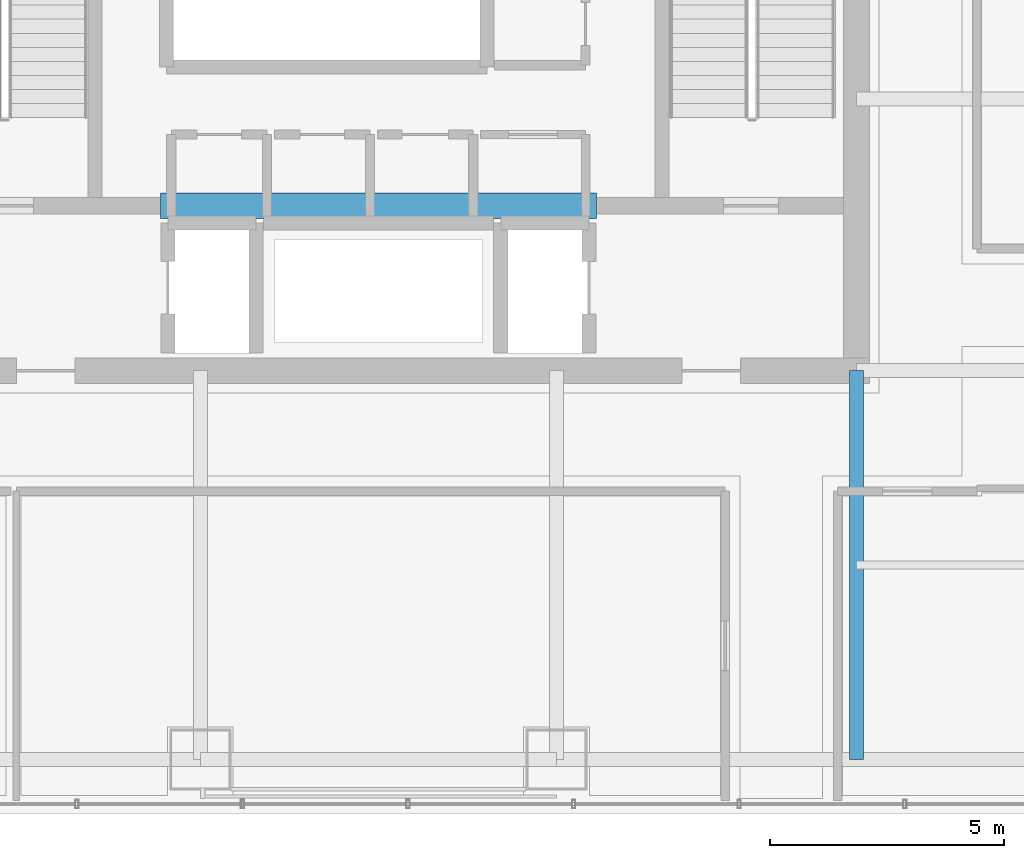
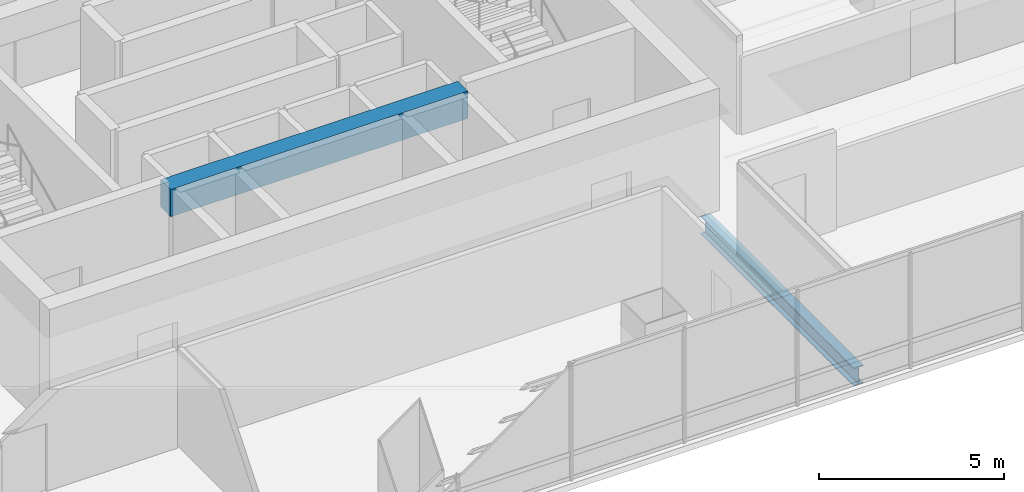
# One storey, part 9 of 42: 2 beams.
"""IFC4 building model written with IfcOpenShell, lengths in metres."""

from ifc_helpers import new_model, si_unit, direction, frame, origin, origin_2d, place, context, subcontext, project, spatial, rectangle, i_section, extrude, material, material_profile, profile_set, type_object, element, save


model = new_model("IFC4")

# Units and contexts
model_context = context("Model", 3, precision=1e-05, world=origin(), true_north=direction((0.0, 1.0)))
body_context = subcontext(model_context, "Body", "Model", "MODEL_VIEW")
ifc_project = project(units=[si_unit("LENGTHUNIT", "METRE"), si_unit("AREAUNIT", "SQUARE_METRE"), si_unit("VOLUMEUNIT", "CUBIC_METRE"), si_unit("PLANEANGLEUNIT", "RADIAN"), si_unit("MASSUNIT", "GRAM", prefix="KILO")], contexts=[model_context])

# Site, building, storey
site_placement = place(None, origin())
site = spatial("IfcSite", under=ifc_project, at=site_placement, CompositionType="ELEMENT")
building_placement = place(site_placement, origin())
building = spatial("IfcBuilding", under=site, at=building_placement, Name="Punatoya Terracotta Tower", CompositionType="ELEMENT")
storey_placement = place(building_placement, frame((0.0, 0.0, 259.5)))
storey = spatial("IfcBuildingStorey", under=building, at=storey_placement, Name="L61", CompositionType="ELEMENT", Elevation=259.5)

# Beams
ifc_material_1 = material(Name="Steel S355", Category="steel")
ifc_material_profile_1 = material_profile(ifc_material_1, i_section(OverallWidth=0.300048828125, OverallDepth=0.60009765625, WebThickness=0.015380859375, FlangeThickness=0.030029296875, FilletRadius=0.01806640625, at=origin_2d()))
ifc_profile_set_1 = profile_set([ifc_material_profile_1], Name="Steel S355")
beam_type_1 = type_object("IfcBeamType", Name="BM-PRI-600", PredefinedType="BEAM", material=ifc_profile_set_1)
beam_1_placement = place(storey_placement, frame((10.199951171875, -17.5, -0.5), z_axis=(0.0, 1.0, 0.0), x_axis=(-1.0, 0.0, 0.0)))
element("IfcBeam", 1, at=beam_1_placement, inside=storey, type_object=beam_type_1, Name="BM-L61-PR-S4", PredefinedType="BEAM", context=body_context, shape_type="SweptSolid", body=[
    extrude(i_section(OverallWidth=0.300048828125, OverallDepth=0.60009765625, WebThickness=0.015380859375, FlangeThickness=0.030029296875, FilletRadius=0.01806640625, at=origin_2d()), origin(), (0.0, 0.0, 1.0), 8.300048828125),
])
ifc_material_2 = material(Name="Concrete C50/60", Category="concrete")
ifc_material_profile_2 = material_profile(ifc_material_2, rectangle(XDim=0.550048828125, YDim=0.89990234375, at=origin_2d()))
ifc_profile_set_2 = profile_set([ifc_material_profile_2], Name="Concrete C50/60")
beam_type_2 = type_object("IfcBeamType", Name="BM-RC-900", PredefinedType="LINTEL", material=ifc_profile_set_2)
beam_2_placement = place(storey_placement, frame((-4.64990234375, -5.679931640625, 3.39990234375), z_axis=(1.0, 0.0, 0.0), x_axis=(0.0, 1.0, 0.0)))
element("IfcBeam", 2, at=beam_2_placement, inside=storey, type_object=beam_type_2, Name="L61 Core Coupling Lintel CSW", PredefinedType="LINTEL", context=body_context, shape_type="SweptSolid", body=[
    extrude(rectangle(XDim=0.550048828125, YDim=0.89990234375, at=origin_2d()), origin(), (0.0, 0.0, 1.0), 9.2998046875),
])

save(model, "model.ifc")
